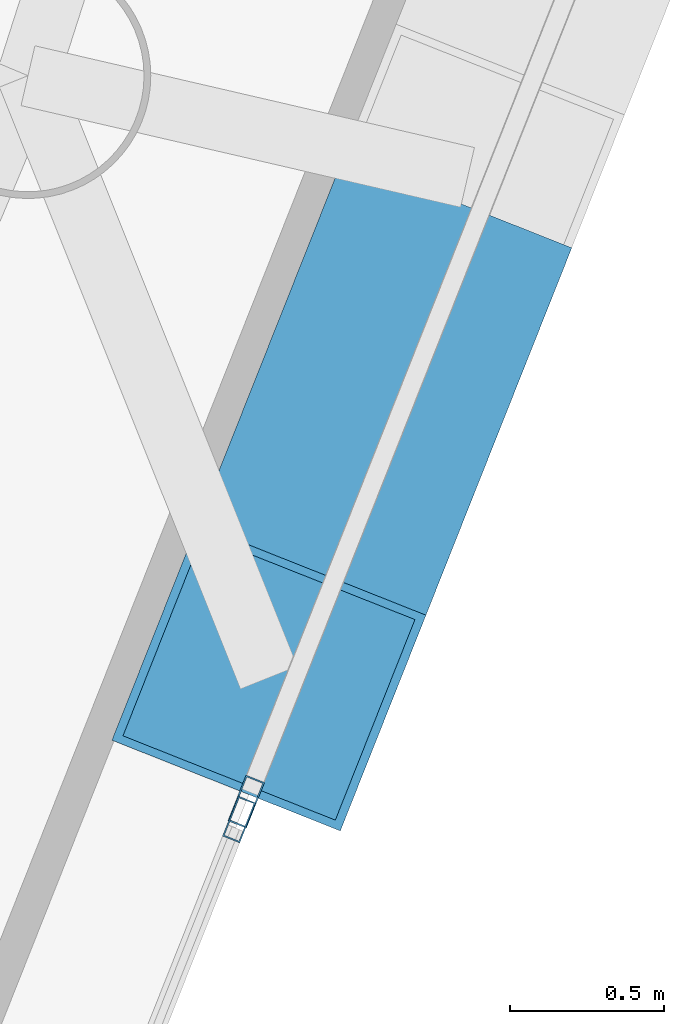
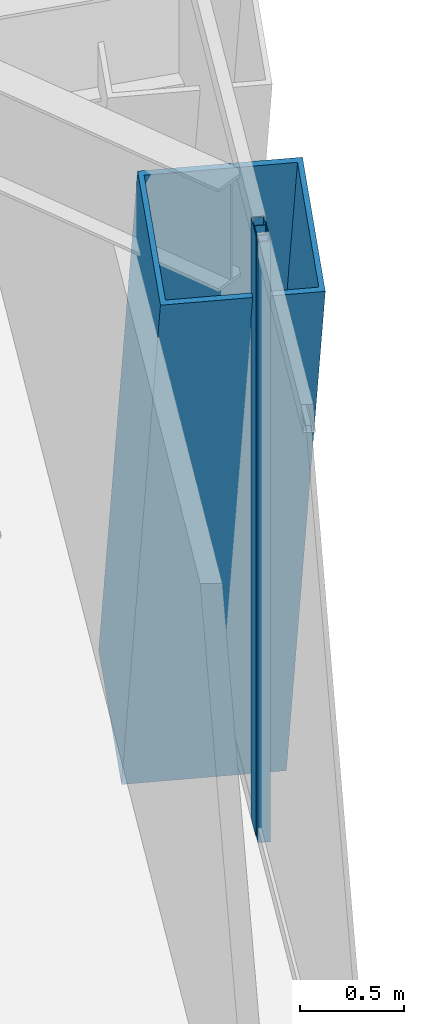
# One storey, part 6 of 18: 3 members, 2 elements without a shape of their own.
"""IFC4 building model written with IfcOpenShell, lengths in metres."""

from ifc_helpers import new_model, si_unit, direction, frame, origin, origin_2d, place, context, subcontext, project, spatial, hollow_rectangle, extrude, material, layer, layer_set, material_profile, profile_set, type_object, element, aggregate, save


model = new_model("IFC4")

# Units and contexts
model_context = context("Model", 3, precision=1e-05, world=origin(), true_north=direction((0.0, 1.0)))
body_context = subcontext(model_context, "Body", "Model", "MODEL_VIEW")
ifc_project = project(units=[si_unit("LENGTHUNIT", "METRE"), si_unit("AREAUNIT", "SQUARE_METRE"), si_unit("VOLUMEUNIT", "CUBIC_METRE"), si_unit("PLANEANGLEUNIT", "RADIAN"), si_unit("MASSUNIT", "GRAM", prefix="KILO")], contexts=[model_context])

# Site, building, storey
site_placement = place(None, origin())
site = spatial("IfcSite", under=ifc_project, at=site_placement, CompositionType="ELEMENT")
building_placement = place(site_placement, origin())
building = spatial("IfcBuilding", under=site, at=building_placement, Name="Qianvela Tower", CompositionType="ELEMENT")
storey_placement = place(building_placement, frame((0.0, 0.0, 337.0)))
storey = spatial("IfcBuildingStorey", under=building, at=storey_placement, Name="L87", CompositionType="ELEMENT", Elevation=337.0)

# Curtain wall, member
ifc_material_1 = material(Name="Anodised Architectural Aluminium and Insulated Spandrel Panel", Category="aluminium")
ifc_layer_1 = layer(ifc_material_1, 0.179931640625)
ifc_layer_set_1 = layer_set([ifc_layer_1], Name="Anodised Architectural Aluminium and Insulated Spandrel Panel")
curtain_wall_type_1 = type_object("IfcCurtainWallType", Name="CW-BRACEBAY", PredefinedType="USERDEFINED", material=ifc_layer_set_1)
curtain_wall_1_placement = place(storey_placement, origin())
curtain_wall_1 = element("IfcCurtainWall", 1, at=curtain_wall_1_placement, inside=storey, type_object=curtain_wall_type_1, Name="L87 CW-BRACEBAY Curtain Wall 06B", ObjectType="CURTAIN_WALL_SYSTEM", PredefinedType="USERDEFINED")
ifc_material_2 = material(Name="Anodised Architectural Aluminium 6063-T6", Category="aluminium")
ifc_material_profile_1 = material_profile(ifc_material_2, hollow_rectangle(XDim=0.06494140625, YDim=0.159912109375, WallThickness=0.0048828125, at=origin_2d()), Name="ALU-MULL-65x160")
ifc_profile_set_1 = profile_set([ifc_material_profile_1], Name="Anodised Architectural Aluminium 6063-T6")
member_type_1 = type_object("IfcMemberType", Name="CW-BRACEBAY-MULL", PredefinedType="MULLION", material=ifc_profile_set_1)
member_1_placement = place(storey_placement, frame((46.8056640625, 21.3271484375, 0.0), z_axis=(0.0, 0.0, 1.0), x_axis=(-0.929472331103, 0.368891834708, 0.0)))
member_1 = element("IfcMember", 2, at=member_1_placement, type_object=member_type_1, Name="CW-9 mullion 1", PredefinedType="MULLION", context=body_context, shape_type="SweptSolid", body=[
    extrude(hollow_rectangle(XDim=0.06494140625, YDim=0.159912109375, WallThickness=0.0048828125, at=origin_2d()), origin(), (0.0, 0.0, 1.0), 3.52001953125),
])
aggregate(curtain_wall_1, [member_1])

ifc_material_3 = material(Name="Anodised Architectural Aluminium and Low-E Glass", Category="aluminium")
ifc_layer_2 = layer(ifc_material_3, 0.14990234375)
ifc_layer_set_2 = layer_set([ifc_layer_2], Name="Anodised Architectural Aluminium and Low-E Glass")
curtain_wall_type_2 = type_object("IfcCurtainWallType", Name="CW-COLIV-Z78", PredefinedType="USERDEFINED", material=ifc_layer_set_2)
curtain_wall_2_placement = place(storey_placement, origin())
curtain_wall_2 = element("IfcCurtainWall", 3, at=curtain_wall_2_placement, inside=storey, type_object=curtain_wall_type_2, Name="L87 CW-COLIV-Z78 Curtain Wall 06A", ObjectType="CURTAIN_WALL_SYSTEM", PredefinedType="USERDEFINED")
ifc_material_4 = material(Name="Anodised Architectural Aluminium 6063-T6", Category="aluminium")
ifc_material_profile_2 = material_profile(ifc_material_4, hollow_rectangle(XDim=0.06005859375, YDim=0.139892578125, WallThickness=0.00439453125, at=origin_2d()), Name="ALU-MULL-60x140")
ifc_profile_set_2 = profile_set([ifc_material_profile_2], Name="Anodised Architectural Aluminium 6063-T6")
member_type_2 = type_object("IfcMemberType", Name="CW-COLIV-Z78-MULL", PredefinedType="MULLION", material=ifc_profile_set_2)
member_2_placement = place(storey_placement, frame((46.782470703125, 21.26904296875, 0.0), z_axis=(0.0, 0.0, 1.0), x_axis=(-0.929472983006, 0.368890192146, 0.0)))
member_2 = element("IfcMember", 4, at=member_2_placement, type_object=member_type_2, Name="CW-6 mullion 3", PredefinedType="MULLION", context=body_context, shape_type="SweptSolid", body=[
    extrude(hollow_rectangle(XDim=0.06005859375, YDim=0.139892578125, WallThickness=0.00439453125, at=origin_2d()), origin(), (0.0, 0.0, 1.0), 3.52001953125),
])
aggregate(curtain_wall_2, [member_2])

# Member
ifc_material_5 = material(Name="Steel Q420GJC", Category="steel")
ifc_material_profile_3 = material_profile(ifc_material_5, hollow_rectangle(XDim=0.800048828125, YDim=0.800048828125, WallThickness=0.028076171875, at=origin_2d()), Name="MBOX-800x800x28")
ifc_profile_set_3 = profile_set([ifc_material_profile_3], Name="Steel Q420GJC")
member_type_3 = type_object("IfcMemberType", Name="MBR-MBRACE-800", PredefinedType="BRACE", material=ifc_profile_set_3)
member_3_placement = place(storey_placement, frame((47.3544921875, 22.927001953125, -0.48193359375), z_axis=(-0.121215673027, -0.305376245672, 0.944485102684), x_axis=(0.929454578275, -0.368936562193, 0.0)))
element("IfcMember", 5, at=member_3_placement, inside=storey, type_object=member_type_3, Name="L87 Tier 14 Exterior Mega-Brace F3A", PredefinedType="BRACE", context=body_context, shape_type="SweptSolid", body=[
    extrude(hollow_rectangle(XDim=0.800048828125, YDim=0.800048828125, WallThickness=0.028076171875, at=origin_2d()), origin(), (0.0, 0.0, 1.0), 3.91748046875),
])

save(model, "model.ifc")
